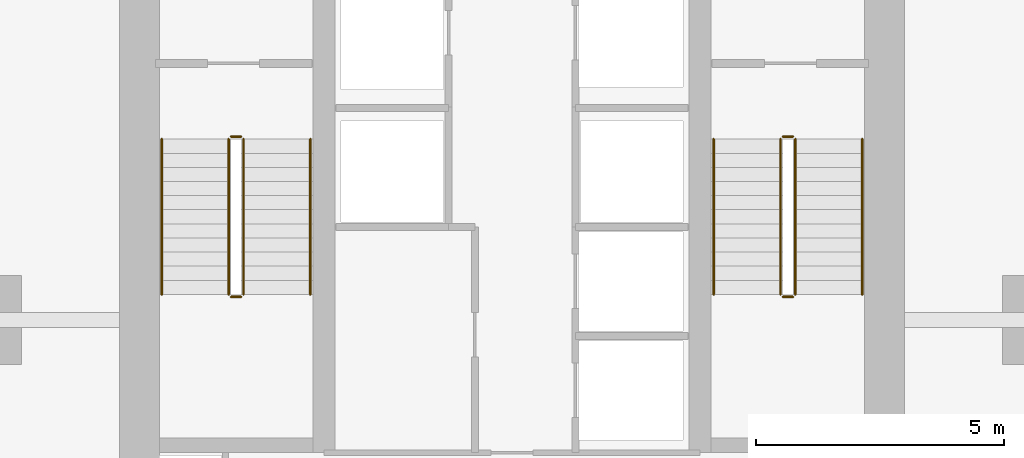
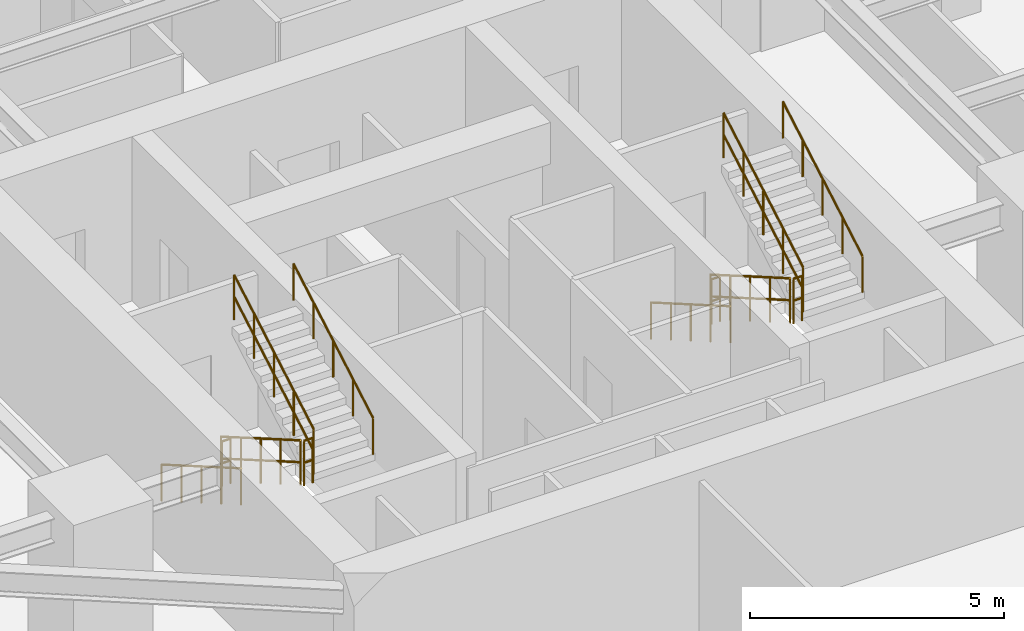
# One storey, part 26 of 27: 12 railings.
"""IFC4 building model written with IfcOpenShell, lengths in metres."""

from ifc_helpers import new_model, si_unit, direction, frame, origin, origin_2d, place, context, subcontext, project, spatial, circle, extrude, material, layer, layer_set, type_object, element, save


model = new_model("IFC4")

# Units and contexts
model_context = context("Model", 3, precision=1e-05, world=origin(), true_north=direction((0.0, 1.0)))
body_context = subcontext(model_context, "Body", "Model", "MODEL_VIEW")
ifc_project = project(units=[si_unit("LENGTHUNIT", "METRE"), si_unit("AREAUNIT", "SQUARE_METRE"), si_unit("VOLUMEUNIT", "CUBIC_METRE"), si_unit("PLANEANGLEUNIT", "RADIAN"), si_unit("MASSUNIT", "GRAM", prefix="KILO")], contexts=[model_context])

# Site, building, storey
site_placement = place(None, origin())
site = spatial("IfcSite", under=ifc_project, at=site_placement, CompositionType="ELEMENT")
building_placement = place(site_placement, origin())
building = spatial("IfcBuilding", under=site, at=building_placement, Name="Krantzveldt Concourse Tower", CompositionType="ELEMENT")
storey_placement = place(building_placement, frame((0.0, 0.0, 154.10009765625)))
storey = spatial("IfcBuildingStorey", under=building, at=storey_placement, Name="L37", CompositionType="ELEMENT", Elevation=154.10009765625)

# Railings
ifc_material = material(Name="Stainless steel 316L", Category="steel")
ifc_layer_1 = layer(ifc_material, 0.06005859375, Name="Stainless steel 316L", Category="steel")
ifc_layer_set_1 = layer_set([ifc_layer_1], Name="Stainless steel 316L (RL-GUARD-1120)")
railing_type_1 = type_object("IfcRailingType", Name="RL-GUARD-1120", PredefinedType="GUARDRAIL", material=ifc_layer_set_1)
railing_1_placement = place(storey_placement, frame((30.280029296875, 19.550048828125, 0.16455078125)))
element("IfcRailing", 1, at=railing_1_placement, inside=storey, type_object=railing_type_1, Name="L37 ST-1 stair guard 1", PredefinedType="GUARDRAIL", context=body_context, shape_type="SweptSolid", body=[
    extrude(circle(Radius=0.02392578125, at=origin_2d()), frame((0.0, 0.0, 1.076171875), z_axis=(0.0, -0.865989039225, 0.500062979975), x_axis=(1.0, 0.0, 0.0)), (0.0, 0.0, 1.0), 3.6201171875),
    extrude(circle(Radius=0.02392578125, at=origin_2d()), frame((0.0, 0.0, 0.550048828125), z_axis=(0.0, -0.865989039225, 0.500062979975), x_axis=(1.0, 0.0, 0.0)), (0.0, 0.0, 1.0), 3.6201171875),
    extrude(circle(Radius=0.02099609375, at=origin_2d()), origin(), (0.0, 0.0, 1.0), 1.052001953125),
    extrude(circle(Radius=0.02099609375, at=origin_2d()), frame((0.0, -0.78369140625, 0.45263671875)), (0.0, 0.0, 1.0), 1.052001953125),
    extrude(circle(Radius=0.02099609375, at=origin_2d()), frame((0.0, -1.5673828125, 0.9052734375)), (0.0, 0.0, 1.0), 1.052001953125),
    extrude(circle(Radius=0.02099609375, at=origin_2d()), frame((0.0, -2.351318359375, 1.357666015625)), (0.0, 0.0, 1.0), 1.052001953125),
    extrude(circle(Radius=0.02099609375, at=origin_2d()), frame((0.0, -3.135009765625, 1.810302734375)), (0.0, 0.0, 1.0), 1.052001953125),
])
railing_2_placement = place(storey_placement, frame((30.330078125, 16.364990234375, 1.974853515625)))
element("IfcRailing", 2, at=railing_2_placement, inside=storey, type_object=railing_type_1, Name="L37 ST-1 stair guard 2", PredefinedType="GUARDRAIL", context=body_context, shape_type="SweptSolid", body=[
    extrude(circle(Radius=0.02392578125, at=origin_2d()), frame((0.0, 0.0, 1.076171875), z_axis=(1.0, 0.0, 0.0), x_axis=(0.0, 1.0, 0.0)), (0.0, 0.0, 1.0), 0.199951171875),
    extrude(circle(Radius=0.02392578125, at=origin_2d()), frame((0.0, 0.0, 0.550048828125), z_axis=(1.0, 0.0, 0.0), x_axis=(0.0, 1.0, 0.0)), (0.0, 0.0, 1.0), 0.199951171875),
    extrude(circle(Radius=0.02099609375, at=origin_2d()), origin(), (0.0, 0.0, 1.0), 1.052001953125),
    extrude(circle(Radius=0.02099609375, at=origin_2d()), frame((0.199951171875, 0.0, 0.0)), (0.0, 0.0, 1.0), 1.052001953125),
])
railing_3_placement = place(storey_placement, frame((30.580078125, 16.4150390625, 2.139404296875)))
element("IfcRailing", 3, at=railing_3_placement, inside=storey, type_object=railing_type_1, Name="L37 ST-1 stair guard 3", PredefinedType="GUARDRAIL", context=body_context, shape_type="SweptSolid", body=[
    extrude(circle(Radius=0.02392578125, at=origin_2d()), frame((0.0, 0.0, 1.076171875), z_axis=(0.0, 0.865959834175, 0.500113552702), x_axis=(-1.0, 0.0, 0.0)), (0.0, 0.0, 1.0), 3.620361328125),
    extrude(circle(Radius=0.02392578125, at=origin_2d()), frame((0.0, 0.0, 0.550048828125), z_axis=(0.0, 0.865959834175, 0.500113552702), x_axis=(-1.0, 0.0, 0.0)), (0.0, 0.0, 1.0), 3.620361328125),
    extrude(circle(Radius=0.02099609375, at=origin_2d()), origin(), (0.0, 0.0, 1.0), 1.052001953125),
    extrude(circle(Radius=0.02099609375, at=origin_2d()), frame((0.0, 0.78369140625, 0.45263671875)), (0.0, 0.0, 1.0), 1.052001953125),
    extrude(circle(Radius=0.02099609375, at=origin_2d()), frame((0.0, 1.5673828125, 0.9052734375)), (0.0, 0.0, 1.0), 1.052001953125),
    extrude(circle(Radius=0.02099609375, at=origin_2d()), frame((0.0, 2.351318359375, 1.35791015625)), (0.0, 0.0, 1.0), 1.052001953125),
    extrude(circle(Radius=0.02099609375, at=origin_2d()), frame((0.0, 3.135009765625, 1.810546875)), (0.0, 0.0, 1.0), 1.052001953125),
])
railing_4_placement = place(storey_placement, frame((30.330078125, 19.60009765625, 0.0)))
element("IfcRailing", 4, at=railing_4_placement, inside=storey, type_object=railing_type_1, Name="L37 ST-1 stair guard 4", PredefinedType="GUARDRAIL", context=body_context, shape_type="SweptSolid", body=[
    extrude(circle(Radius=0.02392578125, at=origin_2d()), frame((0.0, 0.0, 1.076171875), z_axis=(1.0, 0.0, 0.0), x_axis=(0.0, 1.0, 0.0)), (0.0, 0.0, 1.0), 0.199951171875),
    extrude(circle(Radius=0.02392578125, at=origin_2d()), frame((0.0, 0.0, 0.550048828125), z_axis=(1.0, 0.0, 0.0), x_axis=(0.0, 1.0, 0.0)), (0.0, 0.0, 1.0), 0.199951171875),
    extrude(circle(Radius=0.02099609375, at=origin_2d()), origin(), (0.0, 0.0, 1.0), 1.052001953125),
    extrude(circle(Radius=0.02099609375, at=origin_2d()), frame((0.199951171875, 0.0, 0.0)), (0.0, 0.0, 1.0), 1.052001953125),
])
railing_5_placement = place(storey_placement, frame((41.419921875, 19.550048828125, 0.16455078125)))
element("IfcRailing", 5, at=railing_5_placement, inside=storey, type_object=railing_type_1, Name="L37 ST-2 stair guard 1", PredefinedType="GUARDRAIL", context=body_context, shape_type="SweptSolid", body=[
    extrude(circle(Radius=0.02392578125, at=origin_2d()), frame((0.0, 0.0, 1.076171875), z_axis=(0.0, -0.865989039225, 0.500062979975), x_axis=(1.0, 0.0, 0.0)), (0.0, 0.0, 1.0), 3.6201171875),
    extrude(circle(Radius=0.02392578125, at=origin_2d()), frame((0.0, 0.0, 0.550048828125), z_axis=(0.0, -0.865989039225, 0.500062979975), x_axis=(1.0, 0.0, 0.0)), (0.0, 0.0, 1.0), 3.6201171875),
    extrude(circle(Radius=0.02099609375, at=origin_2d()), origin(), (0.0, 0.0, 1.0), 1.052001953125),
    extrude(circle(Radius=0.02099609375, at=origin_2d()), frame((0.0, -0.78369140625, 0.45263671875)), (0.0, 0.0, 1.0), 1.052001953125),
    extrude(circle(Radius=0.02099609375, at=origin_2d()), frame((0.0, -1.5673828125, 0.9052734375)), (0.0, 0.0, 1.0), 1.052001953125),
    extrude(circle(Radius=0.02099609375, at=origin_2d()), frame((0.0, -2.351318359375, 1.357666015625)), (0.0, 0.0, 1.0), 1.052001953125),
    extrude(circle(Radius=0.02099609375, at=origin_2d()), frame((0.0, -3.135009765625, 1.810302734375)), (0.0, 0.0, 1.0), 1.052001953125),
])
railing_6_placement = place(storey_placement, frame((41.469970703125, 16.364990234375, 1.974853515625)))
element("IfcRailing", 6, at=railing_6_placement, inside=storey, type_object=railing_type_1, Name="L37 ST-2 stair guard 2", PredefinedType="GUARDRAIL", context=body_context, shape_type="SweptSolid", body=[
    extrude(circle(Radius=0.02392578125, at=origin_2d()), frame((0.0, 0.0, 1.076171875), z_axis=(1.0, 0.0, 0.0), x_axis=(0.0, 1.0, 0.0)), (0.0, 0.0, 1.0), 0.199951171875),
    extrude(circle(Radius=0.02392578125, at=origin_2d()), frame((0.0, 0.0, 0.550048828125), z_axis=(1.0, 0.0, 0.0), x_axis=(0.0, 1.0, 0.0)), (0.0, 0.0, 1.0), 0.199951171875),
    extrude(circle(Radius=0.02099609375, at=origin_2d()), origin(), (0.0, 0.0, 1.0), 1.052001953125),
    extrude(circle(Radius=0.02099609375, at=origin_2d()), frame((0.199951171875, 0.0, 0.0)), (0.0, 0.0, 1.0), 1.052001953125),
])
railing_7_placement = place(storey_placement, frame((41.719970703125, 16.4150390625, 2.139404296875)))
element("IfcRailing", 7, at=railing_7_placement, inside=storey, type_object=railing_type_1, Name="L37 ST-2 stair guard 3", PredefinedType="GUARDRAIL", context=body_context, shape_type="SweptSolid", body=[
    extrude(circle(Radius=0.02392578125, at=origin_2d()), frame((0.0, 0.0, 1.076171875), z_axis=(0.0, 0.865959834175, 0.500113552702), x_axis=(-1.0, 0.0, 0.0)), (0.0, 0.0, 1.0), 3.620361328125),
    extrude(circle(Radius=0.02392578125, at=origin_2d()), frame((0.0, 0.0, 0.550048828125), z_axis=(0.0, 0.865959834175, 0.500113552702), x_axis=(-1.0, 0.0, 0.0)), (0.0, 0.0, 1.0), 3.620361328125),
    extrude(circle(Radius=0.02099609375, at=origin_2d()), origin(), (0.0, 0.0, 1.0), 1.052001953125),
    extrude(circle(Radius=0.02099609375, at=origin_2d()), frame((0.0, 0.78369140625, 0.45263671875)), (0.0, 0.0, 1.0), 1.052001953125),
    extrude(circle(Radius=0.02099609375, at=origin_2d()), frame((0.0, 1.5673828125, 0.9052734375)), (0.0, 0.0, 1.0), 1.052001953125),
    extrude(circle(Radius=0.02099609375, at=origin_2d()), frame((0.0, 2.351318359375, 1.35791015625)), (0.0, 0.0, 1.0), 1.052001953125),
    extrude(circle(Radius=0.02099609375, at=origin_2d()), frame((0.0, 3.135009765625, 1.810546875)), (0.0, 0.0, 1.0), 1.052001953125),
])
railing_8_placement = place(storey_placement, frame((41.469970703125, 19.60009765625, 0.0)))
element("IfcRailing", 8, at=railing_8_placement, inside=storey, type_object=railing_type_1, Name="L37 ST-2 stair guard 4", PredefinedType="GUARDRAIL", context=body_context, shape_type="SweptSolid", body=[
    extrude(circle(Radius=0.02392578125, at=origin_2d()), frame((0.0, 0.0, 1.076171875), z_axis=(1.0, 0.0, 0.0), x_axis=(0.0, 1.0, 0.0)), (0.0, 0.0, 1.0), 0.199951171875),
    extrude(circle(Radius=0.02392578125, at=origin_2d()), frame((0.0, 0.0, 0.550048828125), z_axis=(1.0, 0.0, 0.0), x_axis=(0.0, 1.0, 0.0)), (0.0, 0.0, 1.0), 0.199951171875),
    extrude(circle(Radius=0.02099609375, at=origin_2d()), origin(), (0.0, 0.0, 1.0), 1.052001953125),
    extrude(circle(Radius=0.02099609375, at=origin_2d()), frame((0.199951171875, 0.0, 0.0)), (0.0, 0.0, 1.0), 1.052001953125),
])
ifc_layer_2 = layer(ifc_material, 0.050048828125, Name="Stainless steel 316L", Category="steel")
ifc_layer_set_2 = layer_set([ifc_layer_2], Name="Stainless steel 316L (RL-HANDRAIL-920)")
railing_type_2 = type_object("IfcRailingType", Name="RL-HANDRAIL-920", PredefinedType="HANDRAIL", material=ifc_layer_set_2)
railing_9_placement = place(storey_placement, frame((28.929931640625, 19.550048828125, 0.16455078125)))
element("IfcRailing", 9, at=railing_9_placement, inside=storey, type_object=railing_type_2, Name="L37 ST-1 stair handrail 1", PredefinedType="HANDRAIL", context=body_context, shape_type="SweptSolid", body=[
    extrude(circle(Radius=0.02392578125, at=origin_2d()), frame((0.0, 0.0, 0.8759765625), z_axis=(0.0, -0.865989039225, 0.500062979975), x_axis=(1.0, 0.0, 0.0)), (0.0, 0.0, 1.0), 3.6201171875),
    extrude(circle(Radius=0.02099609375, at=origin_2d()), origin(), (0.0, 0.0, 1.0), 0.851806640625),
    extrude(circle(Radius=0.02099609375, at=origin_2d()), frame((0.0, -0.78369140625, 0.45263671875)), (0.0, 0.0, 1.0), 0.851806640625),
    extrude(circle(Radius=0.02099609375, at=origin_2d()), frame((0.0, -1.5673828125, 0.9052734375)), (0.0, 0.0, 1.0), 0.851806640625),
    extrude(circle(Radius=0.02099609375, at=origin_2d()), frame((0.0, -2.351318359375, 1.357666015625)), (0.0, 0.0, 1.0), 0.851806640625),
    extrude(circle(Radius=0.02099609375, at=origin_2d()), frame((0.0, -3.135009765625, 1.810302734375)), (0.0, 0.0, 1.0), 0.851806640625),
])
railing_10_placement = place(storey_placement, frame((31.929931640625, 16.4150390625, 2.139404296875)))
element("IfcRailing", 10, at=railing_10_placement, inside=storey, type_object=railing_type_2, Name="L37 ST-1 stair handrail 2", PredefinedType="HANDRAIL", context=body_context, shape_type="SweptSolid", body=[
    extrude(circle(Radius=0.02392578125, at=origin_2d()), frame((0.0, 0.0, 0.8759765625), z_axis=(0.0, 0.865959834175, 0.500113552702), x_axis=(-1.0, 0.0, 0.0)), (0.0, 0.0, 1.0), 3.620361328125),
    extrude(circle(Radius=0.02099609375, at=origin_2d()), origin(), (0.0, 0.0, 1.0), 0.851806640625),
    extrude(circle(Radius=0.02099609375, at=origin_2d()), frame((0.0, 0.78369140625, 0.45263671875)), (0.0, 0.0, 1.0), 0.851806640625),
    extrude(circle(Radius=0.02099609375, at=origin_2d()), frame((0.0, 1.5673828125, 0.9052734375)), (0.0, 0.0, 1.0), 0.851806640625),
    extrude(circle(Radius=0.02099609375, at=origin_2d()), frame((0.0, 2.351318359375, 1.35791015625)), (0.0, 0.0, 1.0), 0.851806640625),
    extrude(circle(Radius=0.02099609375, at=origin_2d()), frame((0.0, 3.135009765625, 1.810546875)), (0.0, 0.0, 1.0), 0.851806640625),
])
railing_11_placement = place(storey_placement, frame((40.070068359375, 19.550048828125, 0.16455078125)))
element("IfcRailing", 11, at=railing_11_placement, inside=storey, type_object=railing_type_2, Name="L37 ST-2 stair handrail 1", PredefinedType="HANDRAIL", context=body_context, shape_type="SweptSolid", body=[
    extrude(circle(Radius=0.02392578125, at=origin_2d()), frame((0.0, 0.0, 0.8759765625), z_axis=(0.0, -0.865989039225, 0.500062979975), x_axis=(1.0, 0.0, 0.0)), (0.0, 0.0, 1.0), 3.6201171875),
    extrude(circle(Radius=0.02099609375, at=origin_2d()), origin(), (0.0, 0.0, 1.0), 0.851806640625),
    extrude(circle(Radius=0.02099609375, at=origin_2d()), frame((0.0, -0.78369140625, 0.45263671875)), (0.0, 0.0, 1.0), 0.851806640625),
    extrude(circle(Radius=0.02099609375, at=origin_2d()), frame((0.0, -1.5673828125, 0.9052734375)), (0.0, 0.0, 1.0), 0.851806640625),
    extrude(circle(Radius=0.02099609375, at=origin_2d()), frame((0.0, -2.351318359375, 1.357666015625)), (0.0, 0.0, 1.0), 0.851806640625),
    extrude(circle(Radius=0.02099609375, at=origin_2d()), frame((0.0, -3.135009765625, 1.810302734375)), (0.0, 0.0, 1.0), 0.851806640625),
])
railing_12_placement = place(storey_placement, frame((43.070068359375, 16.4150390625, 2.139404296875)))
element("IfcRailing", 12, at=railing_12_placement, inside=storey, type_object=railing_type_2, Name="L37 ST-2 stair handrail 2", PredefinedType="HANDRAIL", context=body_context, shape_type="SweptSolid", body=[
    extrude(circle(Radius=0.02392578125, at=origin_2d()), frame((0.0, 0.0, 0.8759765625), z_axis=(0.0, 0.865959834175, 0.500113552702), x_axis=(-1.0, 0.0, 0.0)), (0.0, 0.0, 1.0), 3.620361328125),
    extrude(circle(Radius=0.02099609375, at=origin_2d()), origin(), (0.0, 0.0, 1.0), 0.851806640625),
    extrude(circle(Radius=0.02099609375, at=origin_2d()), frame((0.0, 0.78369140625, 0.45263671875)), (0.0, 0.0, 1.0), 0.851806640625),
    extrude(circle(Radius=0.02099609375, at=origin_2d()), frame((0.0, 1.5673828125, 0.9052734375)), (0.0, 0.0, 1.0), 0.851806640625),
    extrude(circle(Radius=0.02099609375, at=origin_2d()), frame((0.0, 2.351318359375, 1.35791015625)), (0.0, 0.0, 1.0), 0.851806640625),
    extrude(circle(Radius=0.02099609375, at=origin_2d()), frame((0.0, 3.135009765625, 1.810546875)), (0.0, 0.0, 1.0), 0.851806640625),
])

save(model, "model.ifc")
